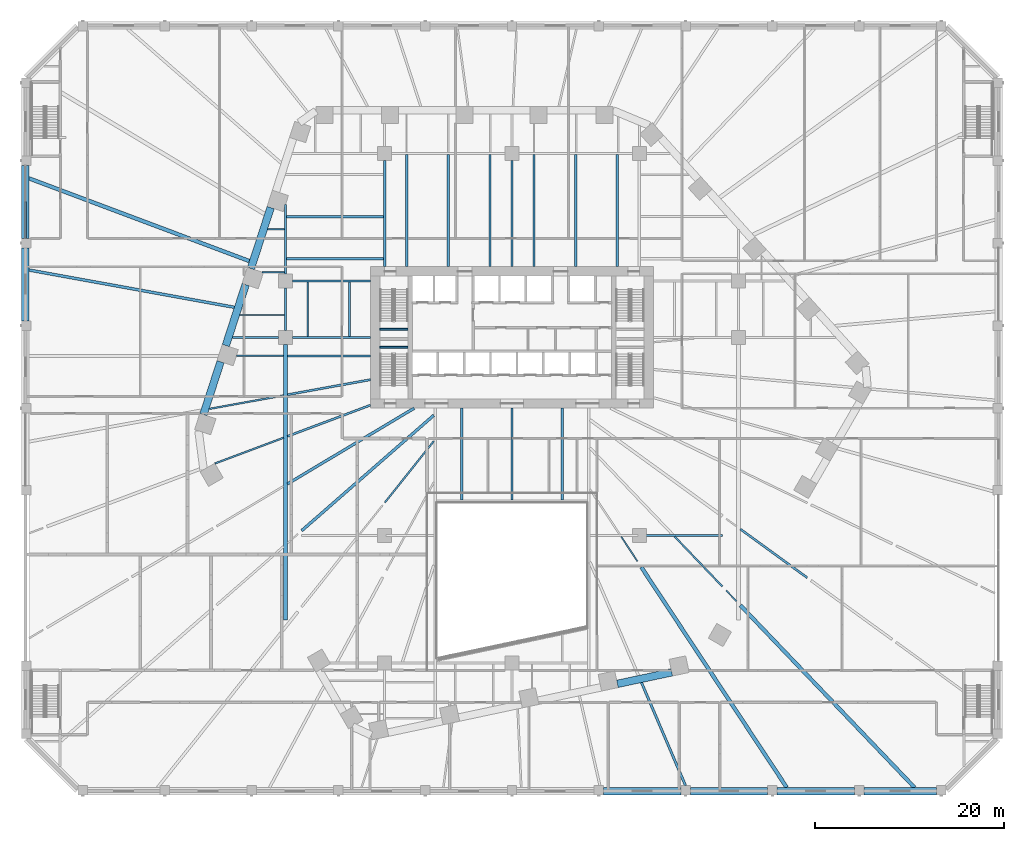
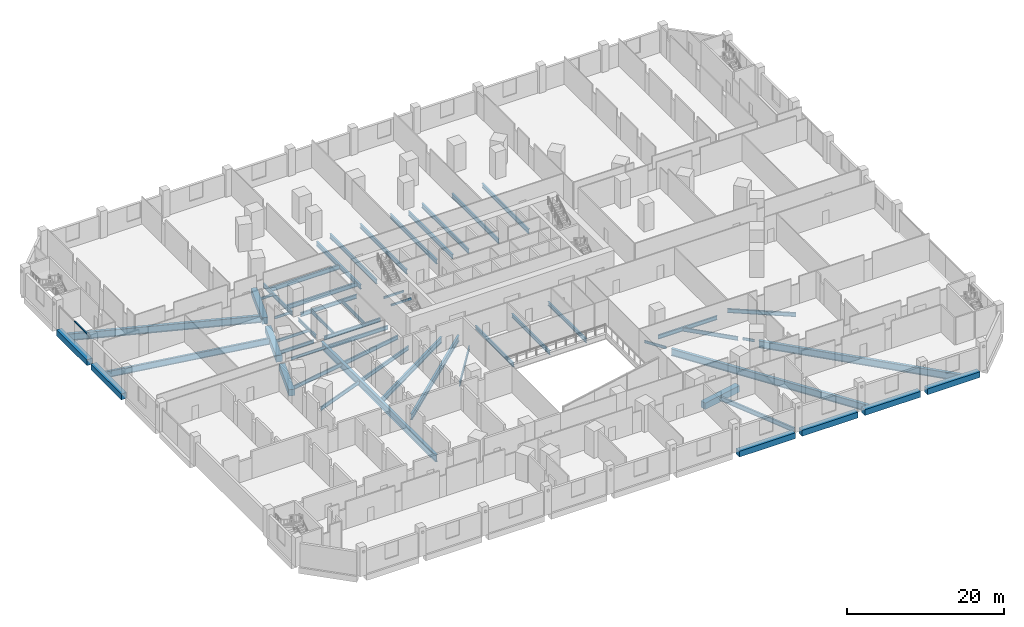
# One storey, part 5 of 33: 55 beams, 1 member, 1 element without a shape of its own.
"""IFC4 building model written with IfcOpenShell, lengths in metres."""

from ifc_helpers import new_model, si_unit, direction, frame, origin, origin_2d, place, context, subcontext, project, spatial, rectangle, i_section, extrude, material, layer, layer_set, material_profile, profile_set, type_object, element, aggregate, save


model = new_model("IFC4")

# Units and contexts
model_context = context("Model", 3, precision=1e-05, world=origin(), true_north=direction((0.0, 1.0)))
body_context = subcontext(model_context, "Body", "Model", "MODEL_VIEW")
ifc_project = project(units=[si_unit("LENGTHUNIT", "METRE"), si_unit("AREAUNIT", "SQUARE_METRE"), si_unit("VOLUMEUNIT", "CUBIC_METRE"), si_unit("PLANEANGLEUNIT", "RADIAN"), si_unit("MASSUNIT", "GRAM", prefix="KILO")], contexts=[model_context])

# Site, building, storey
site_placement = place(None, origin())
site = spatial("IfcSite", under=ifc_project, at=site_placement, CompositionType="ELEMENT")
building_placement = place(site_placement, origin())
building = spatial("IfcBuilding", under=site, at=building_placement, Name="Isthmus Gate Tower", CompositionType="ELEMENT")
storey_placement = place(building_placement, frame((0.0, 0.0, 22.5)))
storey = spatial("IfcBuildingStorey", under=building, at=storey_placement, Name="L03", CompositionType="ELEMENT", Elevation=22.5)

# Curtain wall, member
ifc_material_1 = material(Name="Aluminium, pale champagne anodised", Category="aluminium")
ifc_layer = layer(ifc_material_1, 0.14990234375)
ifc_layer_set = layer_set([ifc_layer], Name="CW-3 STOREFRONT CURTAIN WALL 150 DEEP")
curtain_wall_type = type_object("IfcCurtainWallType", Name="CW-3 STOREFRONT CURTAIN WALL 150 DEEP", PredefinedType="NOTDEFINED", material=ifc_layer_set)
curtain_wall_placement = place(storey_placement, origin())
curtain_wall = element("IfcCurtainWall", 1, at=curtain_wall_placement, inside=storey, type_object=curtain_wall_type, Name="CW-3 W L03", PredefinedType="NOTDEFINED")
ifc_material_2 = material(Name="Aluminium, pale champagne anodised", Category="aluminium")
ifc_material_profile_1 = material_profile(ifc_material_2, rectangle(XDim=0.14990234375, YDim=0.1201171875, at=origin_2d()), Name="150x120")
ifc_profile_set_1 = profile_set([ifc_material_profile_1], Name="Aluminium, pale champagne anodised")
member_type = type_object("IfcMemberType", Name="CW-3 TRANSOM 150 X 120", PredefinedType="USERDEFINED", material=ifc_profile_set_1)
member_placement = place(storey_placement, frame((-51.574951171875, 21.875, 3.239990234375), z_axis=(0.0, -1.0, 0.0), x_axis=(1.0, 0.0, 0.0)))
member = element("IfcMember", 2, at=member_placement, type_object=member_type, Name="CW-3 transom", ObjectType="TRANSOM", PredefinedType="USERDEFINED", context=body_context, shape_type="SweptSolid", body=[
    extrude(rectangle(XDim=0.14990234375, YDim=0.1201171875, at=origin_2d()), origin(), (0.0, 0.0, 1.0), 3.875),
])
aggregate(curtain_wall, [member])

# Beams
ifc_material_3 = material(Name="Concrete f'c 70 MPa", Category="concrete")
ifc_material_profile_2 = material_profile(ifc_material_3, rectangle(XDim=0.800048828125, YDim=0.89990234375, at=origin_2d()), Name="RC 800X900")
ifc_profile_set_2 = profile_set([ifc_material_profile_2], Name="Concrete f'c 70 MPa")
beam_type_1 = type_object("IfcBeamType", Name="RC EDGE BEAM 800 X 900", PredefinedType="BEAM", material=ifc_profile_set_2)
for number, where, z_axis, x_axis, name in (
    (3, (-51.60009765625, 9.25, -0.75), (0.0, 1.0, 0.0), (-1.0, 0.0, 0.0), "str-edgebeam-L03-05"),
    (4, (-51.60009765625, 18.0, -0.75), (0.0, 1.0, 0.0), (-1.0, 0.0, 0.0), "str-edgebeam-L03-06"),
):
    element("IfcBeam", number, at=place(storey_placement, frame(where, z_axis=z_axis, x_axis=x_axis)), inside=storey, type_object=beam_type_1, Name=name, PredefinedType="BEAM", context=body_context, shape_type="SweptSolid", body=[
        extrude(rectangle(XDim=0.800048828125, YDim=0.89990234375, at=origin_2d()), origin(), (0.0, 0.0, 1.0), 7.75),
    ])
beam_1_placement = place(storey_placement, frame((45.0, -40.60009765625, -0.75), z_axis=(-1.0, 0.0, 0.0), x_axis=(0.0, -1.0, 0.0)))
element("IfcBeam", 5, at=beam_1_placement, inside=storey, type_object=beam_type_1, Name="str-edgebeam-L03-28", PredefinedType="BEAM", context=body_context, shape_type="SweptSolid", body=[
    extrude(rectangle(XDim=0.800048828125, YDim=0.89990234375, at=origin_2d()), origin(), (0.0, 0.0, 1.0), 7.699951171875),
])
beam_2_placement = place(storey_placement, frame((36.300048828125, -40.60009765625, -0.75), z_axis=(-1.0, 0.0, 0.0), x_axis=(0.0, -1.0, 0.0)))
element("IfcBeam", 6, at=beam_2_placement, inside=storey, type_object=beam_type_1, Name="str-edgebeam-L03-29", PredefinedType="BEAM", context=body_context, shape_type="SweptSolid", body=[
    extrude(rectangle(XDim=0.800048828125, YDim=0.89990234375, at=origin_2d()), origin(), (0.0, 0.0, 1.0), 8.199951171875),
])
beam_3_placement = place(storey_placement, frame((27.10009765625, -40.60009765625, -0.75), z_axis=(-1.0, 0.0, 0.0), x_axis=(0.0, -1.0, 0.0)))
element("IfcBeam", 7, at=beam_3_placement, inside=storey, type_object=beam_type_1, Name="str-edgebeam-L03-30", PredefinedType="BEAM", context=body_context, shape_type="SweptSolid", body=[
    extrude(rectangle(XDim=0.800048828125, YDim=0.89990234375, at=origin_2d()), origin(), (0.0, 0.0, 1.0), 8.2001953125),
])
beam_4_placement = place(storey_placement, frame((17.89990234375, -40.60009765625, -0.75), z_axis=(-1.0, 0.0, 0.0), x_axis=(0.0, -1.0, 0.0)))
element("IfcBeam", 8, at=beam_4_placement, inside=storey, type_object=beam_type_1, Name="str-edgebeam-L03-31", PredefinedType="BEAM", context=body_context, shape_type="SweptSolid", body=[
    extrude(rectangle(XDim=0.800048828125, YDim=0.89990234375, at=origin_2d()), origin(), (0.0, 0.0, 1.0), 8.199951171875),
])
ifc_material_4 = material(Name="Concrete f'c 70 MPa", Category="concrete")
ifc_material_profile_3 = material_profile(ifc_material_4, rectangle(XDim=0.800048828125, YDim=1.0, at=origin_2d()), Name="RC 800X1000")
ifc_profile_set_3 = profile_set([ifc_material_profile_3], Name="Concrete f'c 70 MPa")
beam_type_2 = type_object("IfcBeamType", Name="RC TUBE RING BEAM 800 X 1000", PredefinedType="BEAM", material=ifc_profile_set_3)
for number, where, z_axis, x_axis, name in (
    (9, (16.937255859375, -27.990966796875, -0.800048828125), (-0.97815168619, -0.207892469327, 0.0), (0.207892469327, -0.97815168619, 0.0), "str-ringbeam-L03-08"),
    (10, (-32.70947265625, -0.672607421875, -0.800048828125), (0.309005457803, 0.951060264677, 0.0), (-0.951060264677, 0.309005457803, 0.0), "str-ringbeam-L03-15"),
):
    element("IfcBeam", number, at=place(storey_placement, frame(where, z_axis=z_axis, x_axis=x_axis)), inside=storey, type_object=beam_type_2, Name=name, PredefinedType="BEAM", context=body_context, shape_type="SweptSolid", body=[
        extrude(rectangle(XDim=0.800048828125, YDim=1.0, at=origin_2d()), origin(), (0.0, 0.0, 1.0), 5.889404296875),
    ])
for number, where, z_axis, x_axis, name in (
    (11, (-30.333251953125, 6.640380859375, -0.800048828125), (0.30900150794, 0.951061548004, 0.0), (-0.951061548004, 0.30900150794, 0.0), "str-ringbeam-L03-16"),
    (12, (-27.67919921875, 14.809326171875, -0.800048828125), (0.309034033576, 0.951050979754, 0.0), (-0.951050979754, 0.309034033576, 0.0), "str-ringbeam-L03-17"),
):
    element("IfcBeam", number, at=place(storey_placement, frame(where, z_axis=z_axis, x_axis=x_axis)), inside=storey, type_object=beam_type_2, Name=name, PredefinedType="BEAM", context=body_context, shape_type="SweptSolid", body=[
        extrude(rectangle(XDim=0.800048828125, YDim=1.0, at=origin_2d()), origin(), (0.0, 0.0, 1.0), 6.789306640625),
    ])
ifc_material_5 = material(Name="Concrete f'c 40 MPa", Category="concrete")
ifc_material_profile_4 = material_profile(ifc_material_5, rectangle(XDim=0.199951171875, YDim=0.300048828125, at=origin_2d()), Name="STAIR LANDING BEAM RC 200 X 300")
ifc_profile_set_4 = profile_set([ifc_material_profile_4], Name="Concrete f'c 40 MPa")
beam_type_3 = type_object("IfcBeamType", Name="STAIR LANDING BEAM RC 200 X 300", PredefinedType="BEAM", material=ifc_profile_set_4)
for number, where, z_axis, x_axis, name in (
    (13, (-14.0, 8.3701171875, 1.89990234375), (1.0, 0.0, 0.0), (0.0, 1.0, 0.0), "L03 ST1 landing beam 1"),
    (14, (-14.0, 6.47998046875, 1.89990234375), (1.0, 0.0, 0.0), (0.0, 1.0, 0.0), "L03 ST7 landing beam 1"),
):
    element("IfcBeam", number, at=place(storey_placement, frame(where, z_axis=z_axis, x_axis=x_axis)), inside=storey, type_object=beam_type_3, Name=name, PredefinedType="BEAM", context=body_context, shape_type="SweptSolid", body=[
        extrude(rectangle(XDim=0.199951171875, YDim=0.300048828125, at=origin_2d()), origin(), (0.0, 0.0, 1.0), 2.949951171875),
    ])
ifc_material_6 = material(Name="Structural steel ASTM A992 Gr 50", Category="steel")
ifc_material_profile_5 = material_profile(ifc_material_6, i_section(OverallWidth=0.1396484375, OverallDepth=0.4033203125, WebThickness=0.00634765625, FlangeThickness=0.010986328125, at=origin_2d()), Name="W16X31")
ifc_profile_set_5 = profile_set([ifc_material_profile_5], Name="Structural steel ASTM A992 Gr 50")
beam_type_4 = type_object("IfcBeamType", Name="STEEL FLOOR BEAM W16X31", PredefinedType="JOIST", material=ifc_profile_set_5)
beam_5_placement = place(storey_placement, frame((-26.503662109375, 14.427490234375, -0.501708984375), z_axis=(1.0, 0.0, 0.0), x_axis=(0.0, 1.0, 0.0)))
element("IfcBeam", 15, at=beam_5_placement, inside=storey, type_object=beam_type_4, Name="str-beam-L03-05-01", PredefinedType="JOIST", context=body_context, shape_type="SweptSolid", body=[
    extrude(i_section(OverallWidth=0.1396484375, OverallDepth=0.4033203125, WebThickness=0.00634765625, FlangeThickness=0.010986328125, at=origin_2d()), origin(), (0.0, 0.0, 1.0), 2.389404296875),
])
beam_6_placement = place(storey_placement, frame((-25.90478515625, 18.975830078125, -0.501708984375), z_axis=(1.0, 0.0, 0.0), x_axis=(0.0, 1.0, 0.0)))
element("IfcBeam", 16, at=beam_6_placement, inside=storey, type_object=beam_type_4, Name="str-beam-L03-05-02", PredefinedType="JOIST", context=body_context, shape_type="SweptSolid", body=[
    extrude(i_section(OverallWidth=0.1396484375, OverallDepth=0.4033203125, WebThickness=0.00634765625, FlangeThickness=0.010986328125, at=origin_2d()), origin(), (0.0, 0.0, 1.0), 1.79052734375),
])
beam_7_placement = place(storey_placement, frame((11.568115234375, -13.604736328125, -0.501708984375), z_axis=(0.550895466529, -0.834574253712, 0.0), x_axis=(0.834574253712, 0.550895466529, 0.0)))
element("IfcBeam", 17, at=beam_7_placement, inside=storey, type_object=beam_type_4, Name="str-beam-L03-15-53", PredefinedType="JOIST", context=body_context, shape_type="SweptSolid", body=[
    extrude(i_section(OverallWidth=0.1396484375, OverallDepth=0.4033203125, WebThickness=0.00634765625, FlangeThickness=0.010986328125, at=origin_2d()), origin(), (0.0, 0.0, 1.0), 3.129150390625),
])
beam_8_placement = place(storey_placement, frame((22.7080078125, -19.32470703125, -0.501708984375), z_axis=(0.691015670497, -0.722839776941, 0.0), x_axis=(0.722839776941, 0.691015670497, 0.0)))
element("IfcBeam", 18, at=beam_8_placement, inside=storey, type_object=beam_type_4, Name="str-beam-L03-15-57", PredefinedType="JOIST", context=body_context, shape_type="SweptSolid", body=[
    extrude(i_section(OverallWidth=0.1396484375, OverallDepth=0.4033203125, WebThickness=0.00634765625, FlangeThickness=0.010986328125, at=origin_2d()), origin(), (0.0, 0.0, 1.0), 1.580322265625),
])
ifc_material_7 = material(Name="Structural steel ASTM A992 Gr 50", Category="steel")
ifc_material_profile_6 = material_profile(ifc_material_7, i_section(OverallWidth=0.15234375, OverallDepth=0.45068359375, WebThickness=0.0078125, FlangeThickness=0.010986328125, at=origin_2d()), Name="W18X35")
ifc_profile_set_6 = profile_set([ifc_material_profile_6], Name="Structural steel ASTM A992 Gr 50")
beam_type_5 = type_object("IfcBeamType", Name="STEEL FLOOR BEAM W18X35", PredefinedType="JOIST", material=ifc_profile_set_6)
beam_9_placement = place(storey_placement, frame((-28.860595703125, 9.87890625, -0.525390625), z_axis=(1.0, 0.0, 0.0), x_axis=(0.0, 1.0, 0.0)))
element("IfcBeam", 19, at=beam_9_placement, inside=storey, type_object=beam_type_5, Name="str-beam-L03-05-00", PredefinedType="JOIST", context=body_context, shape_type="SweptSolid", body=[
    extrude(i_section(OverallWidth=0.15234375, OverallDepth=0.45068359375, WebThickness=0.0078125, FlangeThickness=0.010986328125, at=origin_2d()), origin(), (0.0, 0.0, 1.0), 4.755859375),
])
beam_10_placement = place(storey_placement, frame((-24.199951171875, 5.552978515625, -0.525390625), z_axis=(-1.0, 0.0, 0.0), x_axis=(0.0, -1.0, 0.0)))
element("IfcBeam", 20, at=beam_10_placement, inside=storey, type_object=beam_type_5, Name="str-beam-L03-15-19", PredefinedType="JOIST", context=body_context, shape_type="SweptSolid", body=[
    extrude(i_section(OverallWidth=0.15234375, OverallDepth=0.45068359375, WebThickness=0.0078125, FlangeThickness=0.010986328125, at=origin_2d()), origin(), (0.0, 0.0, 1.0), 5.0146484375),
])
ifc_material_8 = material(Name="Structural steel ASTM A992 Gr 50", Category="steel")
ifc_material_profile_7 = material_profile(ifc_material_8, i_section(OverallWidth=0.1650390625, OverallDepth=0.52392578125, WebThickness=0.009521484375, FlangeThickness=0.010986328125, at=origin_2d()), Name="W21X44")
ifc_profile_set_7 = profile_set([ifc_material_profile_7], Name="Structural steel ASTM A992 Gr 50")
beam_type_6 = type_object("IfcBeamType", Name="STEEL FLOOR BEAM W21X44", PredefinedType="JOIST", material=ifc_profile_set_7)
for number, where, z_axis, x_axis, name in (
    (21, (-21.67138671875, 7.6142578125, -0.56201171875), (0.0, 1.0, 0.0), (-1.0, 0.0, 0.0), "str-beam-L03-06-00"),
    (22, (-17.223876953125, 7.6142578125, -0.56201171875), (0.0, 1.0, 0.0), (-1.0, 0.0, 0.0), "str-beam-L03-06-01"),
):
    element("IfcBeam", number, at=place(storey_placement, frame(where, z_axis=z_axis, x_axis=x_axis)), inside=storey, type_object=beam_type_6, Name=name, PredefinedType="JOIST", context=body_context, shape_type="SweptSolid", body=[
        extrude(i_section(OverallWidth=0.1650390625, OverallDepth=0.52392578125, WebThickness=0.009521484375, FlangeThickness=0.010986328125, at=origin_2d()), origin(), (0.0, 0.0, 1.0), 5.771484375),
    ])
ifc_material_9 = material(Name="Structural steel ASTM A992 Gr 50", Category="steel")
ifc_material_profile_8 = material_profile(ifc_material_9, i_section(OverallWidth=0.177734375, OverallDepth=0.60009765625, WebThickness=0.009521484375, FlangeThickness=0.0126953125, at=origin_2d()), Name="W24X55")
ifc_profile_set_8 = profile_set([ifc_material_profile_8], Name="Structural steel ASTM A992 Gr 50")
beam_type_7 = type_object("IfcBeamType", Name="STEEL FLOOR BEAM W24X55", PredefinedType="JOIST", material=ifc_profile_set_8)
beam_11_placement = place(storey_placement, frame((-24.199951171875, 1.35693359375, -0.60009765625), z_axis=(-0.98393216388, -0.178542703248, 0.0), x_axis=(0.178542703248, -0.98393216388, 0.0)))
element("IfcBeam", 23, at=beam_11_placement, inside=storey, type_object=beam_type_7, Name="str-beam-L03-15-22", PredefinedType="JOIST", context=body_context, shape_type="SweptSolid", body=[
    extrude(i_section(OverallWidth=0.177734375, OverallDepth=0.60009765625, WebThickness=0.009521484375, FlangeThickness=0.0126953125, at=origin_2d()), origin(), (0.0, 0.0, 1.0), 8.02392578125),
])
beam_12_placement = place(storey_placement, frame((-24.199951171875, -3.125, -0.60009765625), z_axis=(-0.936238931279, -0.351364004356, 0.0), x_axis=(0.351364004356, -0.936238931279, 0.0)))
element("IfcBeam", 24, at=beam_12_placement, inside=storey, type_object=beam_type_7, Name="str-beam-L03-15-25", PredefinedType="JOIST", context=body_context, shape_type="SweptSolid", body=[
    extrude(i_section(OverallWidth=0.177734375, OverallDepth=0.60009765625, WebThickness=0.009521484375, FlangeThickness=0.0126953125, at=origin_2d()), origin(), (0.0, 0.0, 1.0), 7.784912109375),
])
beam_13_placement = place(storey_placement, frame((-8.2919921875, -3.49365234375, -0.60009765625), z_axis=(-0.623495794619, -0.781826703364, 0.0), x_axis=(0.781826703364, -0.623495794619, 0.0)))
element("IfcBeam", 25, at=beam_13_placement, inside=storey, type_object=beam_type_7, Name="str-beam-L03-15-37", PredefinedType="JOIST", context=body_context, shape_type="SweptSolid", body=[
    extrude(i_section(OverallWidth=0.177734375, OverallDepth=0.60009765625, WebThickness=0.009521484375, FlangeThickness=0.0126953125, at=origin_2d()), origin(), (0.0, 0.0, 1.0), 8.322021484375),
])
beam_14_placement = place(storey_placement, frame((17.248046875, -13.6142578125, -0.60009765625), z_axis=(0.691057066659, -0.722800201038, 0.0), x_axis=(0.722800201038, 0.691057066659, 0.0)))
element("IfcBeam", 26, at=beam_14_placement, inside=storey, type_object=beam_type_7, Name="str-beam-L03-15-56", PredefinedType="JOIST", context=body_context, shape_type="SweptSolid", body=[
    extrude(i_section(OverallWidth=0.177734375, OverallDepth=0.60009765625, WebThickness=0.009521484375, FlangeThickness=0.0126953125, at=origin_2d()), origin(), (0.0, 0.0, 1.0), 7.298828125),
])
ifc_material_10 = material(Name="Structural steel ASTM A992 Gr 50", Category="steel")
ifc_material_profile_9 = material_profile(ifc_material_10, i_section(OverallWidth=0.228515625, OverallDepth=0.603271484375, WebThickness=0.010986328125, FlangeThickness=0.014404296875, at=origin_2d()), Name="W24X68")
ifc_profile_set_9 = profile_set([ifc_material_profile_9], Name="Structural steel ASTM A992 Gr 50")
beam_type_8 = type_object("IfcBeamType", Name="STEEL FLOOR BEAM W24X68", PredefinedType="JOIST", material=ifc_profile_set_9)
for number, where, z_axis, x_axis, name in (
    (27, (-5.333251953125, -9.7080078125, -0.6015625), (0.0, 1.0, 0.0), (-1.0, 0.0, 0.0), "str-beam-L03-14-00"),
    (28, (0.0, -9.7080078125, -0.6015625), (0.0, 1.0, 0.0), (-1.0, 0.0, 0.0), "str-beam-L03-14-01"),
    (29, (5.333251953125, -9.7080078125, -0.6015625), (0.0, 1.0, 0.0), (-1.0, 0.0, 0.0), "str-beam-L03-14-02"),
):
    element("IfcBeam", number, at=place(storey_placement, frame(where, z_axis=z_axis, x_axis=x_axis)), inside=storey, type_object=beam_type_8, Name=name, PredefinedType="JOIST", context=body_context, shape_type="SweptSolid", body=[
        extrude(i_section(OverallWidth=0.228515625, OverallDepth=0.603271484375, WebThickness=0.010986328125, FlangeThickness=0.014404296875, at=origin_2d()), origin(), (0.0, 0.0, 1.0), 9.7080078125),
    ])
beam_15_placement = place(storey_placement, frame((-15.0, 5.552978515625, -0.6015625), z_axis=(-1.0, 0.0, 0.0), x_axis=(0.0, -1.0, 0.0)))
element("IfcBeam", 30, at=beam_15_placement, inside=storey, type_object=beam_type_8, Name="str-beam-L03-15-18", PredefinedType="JOIST", context=body_context, shape_type="SweptSolid", body=[
    extrude(i_section(OverallWidth=0.228515625, OverallDepth=0.603271484375, WebThickness=0.010986328125, FlangeThickness=0.014404296875, at=origin_2d()), origin(), (0.0, 0.0, 1.0), 8.800048828125),
])
beam_16_placement = place(storey_placement, frame((-15.0, 3.026611328125, -0.6015625), z_axis=(-0.983925766617, -0.178577954368, 0.0), x_axis=(0.178577954368, -0.983925766617, 0.0)))
element("IfcBeam", 31, at=beam_16_placement, inside=storey, type_object=beam_type_8, Name="str-beam-L03-15-21", PredefinedType="JOIST", context=body_context, shape_type="SweptSolid", body=[
    extrude(i_section(OverallWidth=0.228515625, OverallDepth=0.603271484375, WebThickness=0.010986328125, FlangeThickness=0.014404296875, at=origin_2d()), origin(), (0.0, 0.0, 1.0), 8.94384765625),
])
beam_17_placement = place(storey_placement, frame((-15.0, 0.327880859375, -0.6015625), z_axis=(-0.93623414237, -0.351376764544, 0.0), x_axis=(0.351376764544, -0.93623414237, 0.0)))
element("IfcBeam", 32, at=beam_17_placement, inside=storey, type_object=beam_type_8, Name="str-beam-L03-15-24", PredefinedType="JOIST", context=body_context, shape_type="SweptSolid", body=[
    extrude(i_section(OverallWidth=0.228515625, OverallDepth=0.603271484375, WebThickness=0.010986328125, FlangeThickness=0.014404296875, at=origin_2d()), origin(), (0.0, 0.0, 1.0), 9.3994140625),
])
beam_18_placement = place(storey_placement, frame((24.199951171875, -12.812255859375, -0.6015625), z_axis=(0.809008172832, -0.587797393913, 0.0), x_axis=(0.587797393913, 0.809008172832, 0.0)))
element("IfcBeam", 33, at=beam_18_placement, inside=storey, type_object=beam_type_8, Name="str-beam-L03-15-61", PredefinedType="JOIST", context=body_context, shape_type="SweptSolid", body=[
    extrude(i_section(OverallWidth=0.228515625, OverallDepth=0.603271484375, WebThickness=0.010986328125, FlangeThickness=0.014404296875, at=origin_2d()), origin(), (0.0, 0.0, 1.0), 8.766357421875),
])
ifc_material_11 = material(Name="Structural steel ASTM A992 Gr 50", Category="steel")
ifc_material_profile_10 = material_profile(ifc_material_11, i_section(OverallWidth=0.25390625, OverallDepth=0.679443359375, WebThickness=0.010986328125, FlangeThickness=0.015869140625, at=origin_2d()), Name="W27X84")
ifc_profile_set_10 = profile_set([ifc_material_profile_10], Name="Structural steel ASTM A992 Gr 50")
beam_type_9 = type_object("IfcBeamType", Name="STEEL FLOOR BEAM W27X84", PredefinedType="JOIST", material=ifc_profile_set_10)
for number, where, z_axis, x_axis, name in (
    (34, (-23.8857421875, 15.84521484375, -0.6396484375), (1.0, 0.0, 0.0), (0.0, 1.0, 0.0), "str-beam-L03-07-00"),
    (35, (-23.8857421875, 20.30712890625, -0.6396484375), (1.0, 0.0, 0.0), (0.0, 1.0, 0.0), "str-beam-L03-07-01"),
):
    element("IfcBeam", number, at=place(storey_placement, frame(where, z_axis=z_axis, x_axis=x_axis)), inside=storey, type_object=beam_type_9, Name=name, PredefinedType="JOIST", context=body_context, shape_type="SweptSolid", body=[
        extrude(i_section(OverallWidth=0.25390625, OverallDepth=0.679443359375, WebThickness=0.010986328125, FlangeThickness=0.015869140625, at=origin_2d()), origin(), (0.0, 0.0, 1.0), 10.2587890625),
    ])
for number, where, z_axis, x_axis, name in (
    (36, (-11.165283203125, 15.0, -0.6396484375), (0.0, 1.0, 0.0), (-1.0, 0.0, 0.0), "str-beam-L03-11-00"),
    (37, (-6.75, 15.0, -0.6396484375), (0.0, 1.0, 0.0), (-1.0, 0.0, 0.0), "str-beam-L03-11-01"),
    (38, (-2.334716796875, 15.0, -0.6396484375), (0.0, 1.0, 0.0), (-1.0, 0.0, 0.0), "str-beam-L03-11-02"),
    (39, (13.72607421875, -29.08251953125, -0.6396484375), (0.393035629156, -0.91952324289, 0.0), (0.91952324289, 0.393035629156, 0.0), "str-beam-L03-15-51"),
    (40, (2.334716796875, 15.0, -0.6396484375), (0.0, 1.0, 0.0), (-1.0, 0.0, 0.0), "str-beam-L03-19-00"),
    (41, (6.75, 15.0, -0.6396484375), (0.0, 1.0, 0.0), (-1.0, 0.0, 0.0), "str-beam-L03-19-01"),
    (42, (11.165283203125, 15.0, -0.6396484375), (0.0, 1.0, 0.0), (-1.0, 0.0, 0.0), "str-beam-L03-19-02"),
):
    element("IfcBeam", number, at=place(storey_placement, frame(where, z_axis=z_axis, x_axis=x_axis)), inside=storey, type_object=beam_type_9, Name=name, PredefinedType="JOIST", context=body_context, shape_type="SweptSolid", body=[
        extrude(i_section(OverallWidth=0.25390625, OverallDepth=0.679443359375, WebThickness=0.010986328125, FlangeThickness=0.015869140625, at=origin_2d()), origin(), (0.0, 0.0, 1.0), 11.873046875),
    ])
ifc_material_12 = material(Name="Structural steel ASTM A992 Gr 50", Category="steel")
ifc_material_profile_11 = material_profile(ifc_material_12, i_section(OverallWidth=0.2919921875, OverallDepth=0.8349609375, WebThickness=0.014404296875, FlangeThickness=0.01904296875, at=origin_2d()), Name="W33X118")
ifc_profile_set_11 = profile_set([ifc_material_profile_11], Name="Structural steel ASTM A992 Gr 50")
beam_type_10 = type_object("IfcBeamType", Name="STEEL FLOOR BEAM W33X118", PredefinedType="JOIST", material=ifc_profile_set_11)
beam_19_placement = place(storey_placement, frame((-10.371826171875, 0.0, -0.717529296875), z_axis=(-0.858449928732, -0.512897377513, 0.0), x_axis=(0.512897377513, -0.858449928732, 0.0)))
element("IfcBeam", 43, at=beam_19_placement, inside=storey, type_object=beam_type_10, Name="str-beam-L03-15-28", PredefinedType="JOIST", context=body_context, shape_type="SweptSolid", body=[
    extrude(i_section(OverallWidth=0.2919921875, OverallDepth=0.8349609375, WebThickness=0.014404296875, FlangeThickness=0.01904296875, at=origin_2d()), origin(), (0.0, 0.0, 1.0), 15.642333984375),
])
ifc_material_13 = material(Name="Structural steel ASTM A992 Gr 50", Category="steel")
ifc_material_profile_12 = material_profile(ifc_material_13, i_section(OverallWidth=0.3046875, OverallDepth=0.901611328125, WebThickness=0.015869140625, FlangeThickness=0.0205078125, at=origin_2d()), Name="W36X135")
ifc_profile_set_12 = profile_set([ifc_material_profile_12], Name="Structural steel ASTM A992 Gr 50")
beam_type_11 = type_object("IfcBeamType", Name="STEEL FLOOR BEAM W36X135", PredefinedType="JOIST", material=ifc_profile_set_12)
beam_20_placement = place(storey_placement, frame((-8.2919921875, -0.75, -0.750732421875), z_axis=(-0.753071101841, -0.657939142757, 0.0), x_axis=(0.657939142757, -0.753071101841, 0.0)))
element("IfcBeam", 44, at=beam_20_placement, inside=storey, type_object=beam_type_11, Name="str-beam-L03-15-33", PredefinedType="JOIST", context=body_context, shape_type="SweptSolid", body=[
    extrude(i_section(OverallWidth=0.3046875, OverallDepth=0.901611328125, WebThickness=0.015869140625, FlangeThickness=0.0205078125, at=origin_2d()), origin(), (0.0, 0.0, 1.0), 18.590576171875),
])
ifc_material_14 = material(Name="Structural steel ASTM A992 Gr 50", Category="steel")
ifc_material_profile_13 = material_profile(ifc_material_14, i_section(OverallWidth=0.29833984375, OverallDepth=0.981201171875, WebThickness=0.015869140625, FlangeThickness=0.025390625, at=origin_2d()), Name="W40X167")
ifc_profile_set_13 = profile_set([ifc_material_profile_13], Name="Structural steel ASTM A992 Gr 50")
beam_type_12 = type_object("IfcBeamType", Name="STEEL FLOOR BEAM W40X167", PredefinedType="JOIST", material=ifc_profile_set_13)
beam_21_placement = place(storey_placement, frame((-29.43505859375, 10.69921875, -0.79052734375), z_axis=(-0.983929895497, 0.178555203641, 0.0), x_axis=(-0.178555203641, -0.983929895497, 0.0)))
element("IfcBeam", 45, at=beam_21_placement, inside=storey, type_object=beam_type_12, Name="str-beam-L03-15-17", PredefinedType="JOIST", context=body_context, shape_type="SweptSolid", body=[
    extrude(i_section(OverallWidth=0.29833984375, OverallDepth=0.981201171875, WebThickness=0.015869140625, FlangeThickness=0.025390625, at=origin_2d()), origin(), (0.0, 0.0, 1.0), 22.120361328125),
])
ifc_material_15 = material(Name="Structural steel ASTM A992 Gr 50", Category="steel")
ifc_material_profile_14 = material_profile(ifc_material_15, i_section(OverallWidth=0.39990234375, OverallDepth=1.089111328125, WebThickness=0.017578125, FlangeThickness=0.03173828125, at=origin_2d()), Name="W44X230")
ifc_profile_set_14 = profile_set([ifc_material_profile_14], Name="Structural steel ASTM A992 Gr 50")
beam_type_13 = type_object("IfcBeamType", Name="STEEL FLOOR BEAM W44X230", PredefinedType="JOIST", material=ifc_profile_set_14)
beam_22_placement = place(storey_placement, frame((-27.84326171875, 15.598388671875, -0.844482421875), z_axis=(-0.936235438062, 0.351373312187, 0.0), x_axis=(-0.351373312187, -0.936235438062, 0.0)))
element("IfcBeam", 46, at=beam_22_placement, inside=storey, type_object=beam_type_13, Name="str-beam-L03-15-16", PredefinedType="JOIST", context=body_context, shape_type="SweptSolid", body=[
    extrude(i_section(OverallWidth=0.39990234375, OverallDepth=1.089111328125, WebThickness=0.017578125, FlangeThickness=0.03173828125, at=origin_2d()), origin(), (0.0, 0.0, 1.0), 24.947509765625),
])
beam_23_placement = place(storey_placement, frame((13.7080078125, -16.84619140625, -0.844482421875), z_axis=(0.550893135654, -0.834575792298, 0.0), x_axis=(0.834575792298, 0.550893135654, 0.0)))
element("IfcBeam", 47, at=beam_23_placement, inside=storey, type_object=beam_type_13, Name="str-beam-L03-15-54", PredefinedType="JOIST", context=body_context, shape_type="SweptSolid", body=[
    extrude(i_section(OverallWidth=0.39990234375, OverallDepth=1.089111328125, WebThickness=0.017578125, FlangeThickness=0.03173828125, at=origin_2d()), origin(), (0.0, 0.0, 1.0), 27.98291015625),
])
beam_24_placement = place(storey_placement, frame((24.199951171875, -20.885498046875, -0.844482421875), z_axis=(0.691068296501, -0.722789464209, 0.0), x_axis=(0.722789464209, 0.691068296501, 0.0)))
element("IfcBeam", 48, at=beam_24_placement, inside=storey, type_object=beam_type_13, Name="str-beam-L03-15-58", PredefinedType="JOIST", context=body_context, shape_type="SweptSolid", body=[
    extrude(i_section(OverallWidth=0.39990234375, OverallDepth=1.089111328125, WebThickness=0.017578125, FlangeThickness=0.03173828125, at=origin_2d()), origin(), (0.0, 0.0, 1.0), 26.72216796875),
])
ifc_material_16 = material(Name="Structural steel ASTM A992 Gr 50", Category="steel")
ifc_material_profile_15 = material_profile(ifc_material_16, i_section(OverallWidth=0.20947265625, OverallDepth=0.533447265625, WebThickness=0.009521484375, FlangeThickness=0.015869140625, at=origin_2d()), Name="W21X62")
ifc_profile_set_15 = profile_set([ifc_material_profile_15], Name="Structural steel ASTM A992 Gr 50")
beam_type_14 = type_object("IfcBeamType", Name="STEEL GIRDER W21X62", PredefinedType="BEAM", material=ifc_profile_set_15)
beam_25_placement = place(storey_placement, frame((-29.633544921875, 7.5, -0.566650390625), z_axis=(1.0, 0.0, 0.0), x_axis=(0.0, 1.0, 0.0)))
element("IfcBeam", 49, at=beam_25_placement, inside=storey, type_object=beam_type_14, Name="str-girder-L03-09", PredefinedType="BEAM", context=body_context, shape_type="SweptSolid", body=[
    extrude(i_section(OverallWidth=0.20947265625, OverallDepth=0.533447265625, WebThickness=0.009521484375, FlangeThickness=0.015869140625, at=origin_2d()), origin(), (0.0, 0.0, 1.0), 4.883544921875),
])
beam_26_placement = place(storey_placement, frame((-24.0, 8.25, -0.566650390625), z_axis=(0.0, 1.0, 0.0), x_axis=(-1.0, 0.0, 0.0)))
element("IfcBeam", 50, at=beam_26_placement, inside=storey, type_object=beam_type_14, Name="str-girder-L03-21", PredefinedType="BEAM", context=body_context, shape_type="SweptSolid", body=[
    extrude(i_section(OverallWidth=0.20947265625, OverallDepth=0.533447265625, WebThickness=0.009521484375, FlangeThickness=0.015869140625, at=origin_2d()), origin(), (0.0, 0.0, 1.0), 4.5),
])
ifc_material_17 = material(Name="Structural steel ASTM A992 Gr 50", Category="steel")
ifc_material_profile_16 = material_profile(ifc_material_17, i_section(OverallWidth=0.228515625, OverallDepth=0.603271484375, WebThickness=0.010986328125, FlangeThickness=0.014404296875, at=origin_2d()), Name="W24X68")
ifc_profile_set_16 = profile_set([ifc_material_profile_16], Name="Structural steel ASTM A992 Gr 50")
beam_type_15 = type_object("IfcBeamType", Name="STEEL GIRDER W24X68", PredefinedType="BEAM", material=ifc_profile_set_16)
beam_27_placement = place(storey_placement, frame((-24.0, 14.25, -0.6015625), z_axis=(0.0, 1.0, 0.0), x_axis=(-1.0, 0.0, 0.0)))
element("IfcBeam", 51, at=beam_27_placement, inside=storey, type_object=beam_type_15, Name="str-girder-L03-22", PredefinedType="BEAM", context=body_context, shape_type="SweptSolid", body=[
    extrude(i_section(OverallWidth=0.228515625, OverallDepth=0.603271484375, WebThickness=0.010986328125, FlangeThickness=0.014404296875, at=origin_2d()), origin(), (0.0, 0.0, 1.0), 7.35205078125),
])
ifc_material_18 = material(Name="Structural steel ASTM A992 Gr 50", Category="steel")
ifc_material_profile_17 = material_profile(ifc_material_18, i_section(OverallWidth=0.228515625, OverallDepth=0.6064453125, WebThickness=0.010986328125, FlangeThickness=0.017578125, at=origin_2d()), Name="W24X76")
ifc_profile_set_17 = profile_set([ifc_material_profile_17], Name="Structural steel ASTM A992 Gr 50")
beam_type_16 = type_object("IfcBeamType", Name="STEEL GIRDER W24X76", PredefinedType="BEAM", material=ifc_profile_set_17)
beam_28_placement = place(storey_placement, frame((13.65234375, -13.5, -0.603271484375), z_axis=(1.0, 0.0, 0.0), x_axis=(0.0, 1.0, 0.0)))
element("IfcBeam", 52, at=beam_28_placement, inside=storey, type_object=beam_type_16, Name="str-girder-L03-08", PredefinedType="BEAM", context=body_context, shape_type="SweptSolid", body=[
    extrude(i_section(OverallWidth=0.228515625, OverallDepth=0.6064453125, WebThickness=0.010986328125, FlangeThickness=0.017578125, at=origin_2d()), origin(), (0.0, 0.0, 1.0), 8.6396484375),
])
for number, where, z_axis, x_axis, name in (
    (53, (-23.25, 7.5, -0.603271484375), (1.0, 0.0, 0.0), (0.0, 1.0, 0.0), "str-girder-L03-10"),
    (54, (-23.25, 13.5, -0.603271484375), (1.0, 0.0, 0.0), (0.0, 1.0, 0.0), "str-girder-L03-13"),
):
    element("IfcBeam", number, at=place(storey_placement, frame(where, z_axis=z_axis, x_axis=x_axis)), inside=storey, type_object=beam_type_16, Name=name, PredefinedType="BEAM", context=body_context, shape_type="SweptSolid", body=[
        extrude(i_section(OverallWidth=0.228515625, OverallDepth=0.6064453125, WebThickness=0.010986328125, FlangeThickness=0.017578125, at=origin_2d()), origin(), (0.0, 0.0, 1.0), 8.25),
    ])
ifc_material_19 = material(Name="Structural steel ASTM A992 Gr 50", Category="steel")
ifc_material_profile_18 = material_profile(ifc_material_19, i_section(OverallWidth=0.25390625, OverallDepth=0.679443359375, WebThickness=0.010986328125, FlangeThickness=0.015869140625, at=origin_2d()), Name="W27X84")
ifc_profile_set_18 = profile_set([ifc_material_profile_18], Name="Structural steel ASTM A992 Gr 50")
beam_type_17 = type_object("IfcBeamType", Name="STEEL GIRDER W27X84", PredefinedType="BEAM", material=ifc_profile_set_18)
for number, where, z_axis, x_axis, name in (
    (55, (-13.5, 15.0, -0.6396484375), (0.0, 1.0, 0.0), (-1.0, 0.0, 0.0), "str-girder-L03-24"),
    (56, (0.0, 15.0, -0.6396484375), (0.0, 1.0, 0.0), (-1.0, 0.0, 0.0), "str-girder-L03-27"),
):
    element("IfcBeam", number, at=place(storey_placement, frame(where, z_axis=z_axis, x_axis=x_axis)), inside=storey, type_object=beam_type_17, Name=name, PredefinedType="BEAM", context=body_context, shape_type="SweptSolid", body=[
        extrude(i_section(OverallWidth=0.25390625, OverallDepth=0.679443359375, WebThickness=0.010986328125, FlangeThickness=0.015869140625, at=origin_2d()), origin(), (0.0, 0.0, 1.0), 11.25),
    ])
ifc_material_20 = material(Name="Structural steel ASTM A992 Gr 50", Category="steel")
ifc_material_profile_19 = material_profile(ifc_material_20, i_section(OverallWidth=0.39990234375, OverallDepth=1.089111328125, WebThickness=0.017578125, FlangeThickness=0.03173828125, at=origin_2d()), Name="W44X230")
ifc_profile_set_19 = profile_set([ifc_material_profile_19], Name="Structural steel ASTM A992 Gr 50")
beam_type_18 = type_object("IfcBeamType", Name="STEEL GIRDER W44X230", PredefinedType="BEAM", material=ifc_profile_set_19)
beam_29_placement = place(storey_placement, frame((-24.0, -22.4306640625, -0.844482421875), z_axis=(0.0, 1.0, 0.0), x_axis=(-1.0, 0.0, 0.0)))
element("IfcBeam", 57, at=beam_29_placement, inside=storey, type_object=beam_type_18, Name="str-girder-L03-20", PredefinedType="BEAM", context=body_context, shape_type="SweptSolid", body=[
    extrude(i_section(OverallWidth=0.39990234375, OverallDepth=1.089111328125, WebThickness=0.017578125, FlangeThickness=0.03173828125, at=origin_2d()), origin(), (0.0, 0.0, 1.0), 29.1806640625),
])

save(model, "model.ifc")
